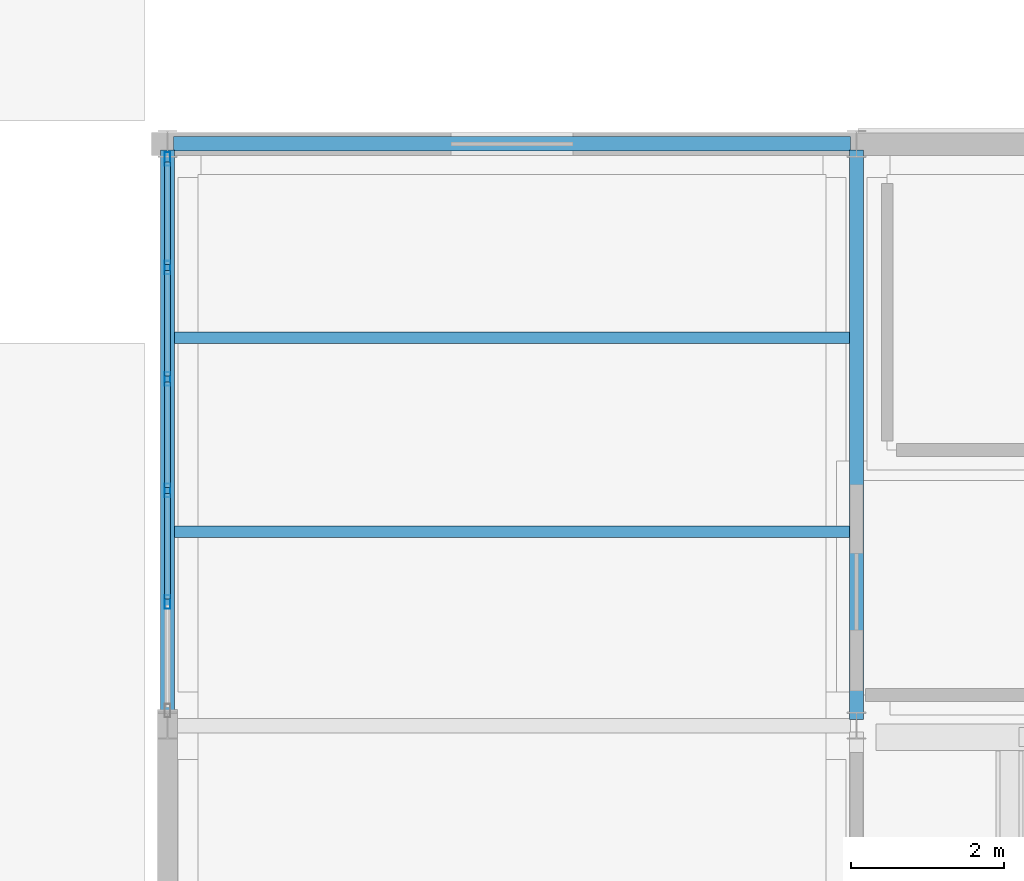
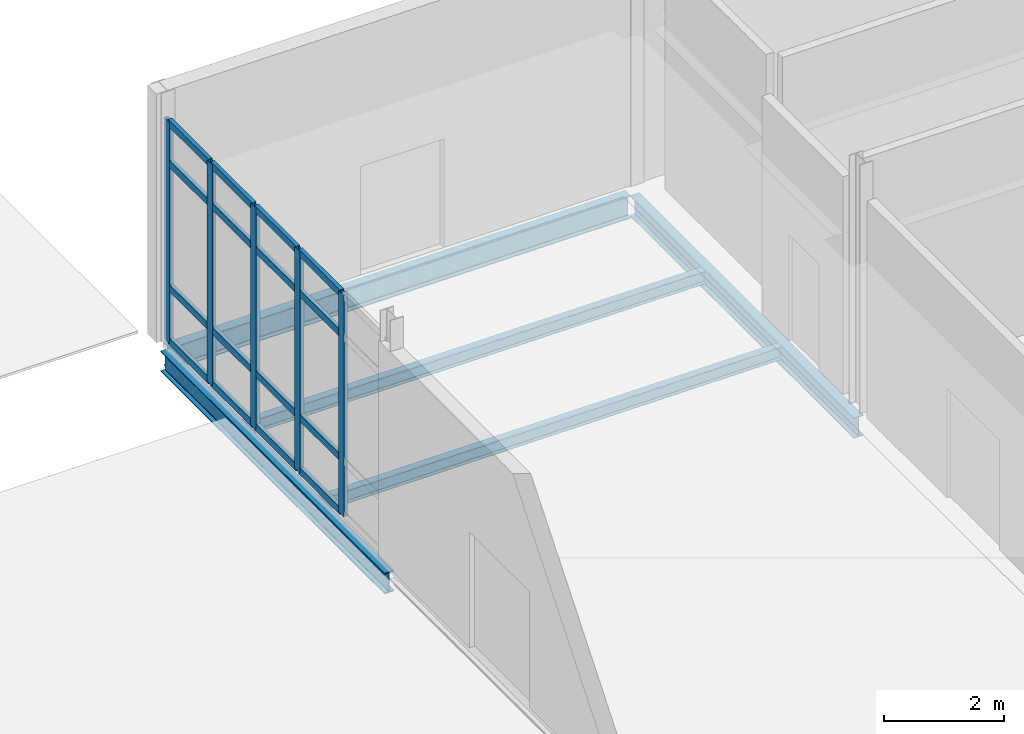
# One storey, part 105 of 161: 21 members, 5 beams, 1 element without a shape of its own.
"""IFC4 building model written with IfcOpenShell, lengths in metres."""

import ifcopenshell
import ifcopenshell.guid

model = None  # the IFC model being written
_history = None  # IfcOwnerHistory: only IFC2X3 demands one
_inside = {}  # id of a spatial element -> (the spatial element, [elements in it])
_under = {}  # id of a project, library or spatial element -> (it, [spatial elements below it])
_declared = {}  # id of a project -> (the project, [libraries it declares])
_typed = {}  # id of a type object -> (the type object, [elements of that type])
_made_of = {}  # id of a material, layer set ... -> (it, [elements and type objects made of it])


def new_model(schema):
    """Start an empty IFC model of exactly this schema.

    Asked for "IFC4X3", IfcOpenShell would pick the latest addendum, in which some entities
    have other attributes; the version numbers below select the first issue.
    IFC2X3 requires an IfcOwnerHistory on every rooted entity: one is made here for all.
    """
    global model, _history
    if schema == "IFC4X3":
        model = ifcopenshell.file(schema_version=(4, 3, 0, 0))
    else:
        model = ifcopenshell.file(schema=schema)
    _inside.clear()
    _under.clear()
    _declared.clear()
    _typed.clear()
    _made_of.clear()
    _history = None
    if model.schema == "IFC2X3":
        org = make("IfcOrganization", Name="unknown")
        user = make(
            "IfcPersonAndOrganization",
            ThePerson=make("IfcPerson", FamilyName="unknown"),
            TheOrganization=org,
        )
        app = make(
            "IfcApplication",
            ApplicationDeveloper=org,
            Version="unknown",
            ApplicationFullName="unknown",
            ApplicationIdentifier="unknown",
        )
        _history = make(
            "IfcOwnerHistory",
            OwningUser=user,
            OwningApplication=app,
            ChangeAction="ADDED",
            CreationDate=0,
        )
    return model


def make(cls, **values):
    """One entity of the class cls with the attributes given. An attribute that is None is left unset."""
    return model.create_entity(
        cls, **{name: value for name, value in values.items() if value is not None}
    )


def rooted(cls, **values):
    """An entity with a GlobalId (a new one), such as an element, a storey or a relation."""
    return make(cls, GlobalId=ifcopenshell.guid.new(), OwnerHistory=_history, **values)


def si_unit(unit_type, name, prefix=None):
    """IfcSIUnit, for example si_unit("LENGTHUNIT", "METRE", prefix="MILLI")."""
    return make("IfcSIUnit", UnitType=unit_type, Prefix=prefix, Name=name)


def assignment(units):
    """IfcUnitAssignment: the units of a project."""
    return None if units is None else make("IfcUnitAssignment", Units=units)


def point(xyz):
    """IfcCartesianPoint."""
    return None if xyz is None else make("IfcCartesianPoint", Coordinates=xyz)


def direction(xyz):
    """IfcDirection."""
    return None if xyz is None else make("IfcDirection", DirectionRatios=xyz)


def frame(location, z_axis=None, x_axis=None):
    """IfcAxis2Placement3D, a coordinate frame: its origin and axes. An axis left out is left unset."""
    return make(
        "IfcAxis2Placement3D",
        Location=point(location),
        Axis=direction(z_axis),
        RefDirection=direction(x_axis),
    )


def frame_2d(location, x_axis=None):
    """IfcAxis2Placement2D, a coordinate frame in the plane: its origin and x axis."""
    return make(
        "IfcAxis2Placement2D", Location=point(location), RefDirection=direction(x_axis)
    )


def origin():
    """The frame at (0, 0, 0) with its axes left unset."""
    return frame((0.0, 0.0, 0.0))


def origin_2d():
    """The frame at (0, 0) in the plane with its x axis left unset."""
    return frame_2d((0.0, 0.0))


def place(relative_to, where):
    """IfcLocalPlacement: puts the frame where relative to a parent placement (None: the world)."""
    return make(
        "IfcLocalPlacement", PlacementRelTo=relative_to, RelativePlacement=where
    )


def context(
    kind, dimensions, precision=None, world=None, true_north=None, identifier=None
):
    """IfcGeometricRepresentationContext, for example the 3D "Model" context."""
    return make(
        "IfcGeometricRepresentationContext",
        ContextIdentifier=identifier,
        ContextType=kind,
        CoordinateSpaceDimension=dimensions,
        Precision=precision,
        WorldCoordinateSystem=world,
        TrueNorth=true_north,
    )


def subcontext(parent, identifier, kind, view, scale=None):
    """IfcGeometricRepresentationSubContext, for example "Body" below "Model"."""
    return make(
        "IfcGeometricRepresentationSubContext",
        ContextIdentifier=identifier,
        ContextType=kind,
        ParentContext=parent,
        TargetScale=scale,
        TargetView=view,
    )


def project(units=None, contexts=None):
    """IfcProject with its units and contexts."""
    return rooted(
        "IfcProject",
        Name="project",
        RepresentationContexts=contexts,
        UnitsInContext=assignment(units),
    )


def spatial(cls, under=None, at=None, **own):
    """A site, building, storey or space (cls), placed at a placement, below another one or the project."""
    s = rooted(cls, ObjectPlacement=at, **own)
    if under is not None:
        _under.setdefault(under.id(), (under, []))[1].append(s)
    return s


def profile(cls, at=None, kind="AREA", **sizes):
    """A parametric profile (cls). Its sizes go by their IFC names, for example OverallWidth=200.0."""
    return make(cls, ProfileType=kind, Position=at, **sizes)


def hollow_rectangle(**sizes):
    """IfcRectangleHollowProfileDef."""
    return profile("IfcRectangleHollowProfileDef", **sizes)


def i_section(**sizes):
    """IfcIShapeProfileDef."""
    return profile("IfcIShapeProfileDef", **sizes)


def extrude(swept, where, along, depth):
    """IfcExtrudedAreaSolid: the profile swept, set in the frame where, extruded along a direction by depth."""
    return make(
        "IfcExtrudedAreaSolid",
        SweptArea=swept,
        Position=where,
        ExtrudedDirection=direction(along),
        Depth=depth,
    )


def shape(context_of_items, identifier, shape_type, items):
    """IfcShapeRepresentation: the items that make up one representation, for example the "Body"."""
    return make(
        "IfcShapeRepresentation",
        ContextOfItems=context_of_items,
        RepresentationIdentifier=identifier,
        RepresentationType=shape_type,
        Items=items,
    )


def material(Name=None, Category=None):
    """IfcMaterial."""
    return make("IfcMaterial", Name=Name, Category=Category)


def material_profile(
    of_material, cross_section, Name=None, Category=None, Priority=None
):
    """IfcMaterialProfile: a cross section and its material."""
    return make(
        "IfcMaterialProfile",
        Name=Name,
        Material=of_material,
        Profile=cross_section,
        Priority=Priority,
        Category=Category,
    )


def profile_set(profiles, Name=None, composite=None):
    """IfcMaterialProfileSet."""
    return make(
        "IfcMaterialProfileSet",
        Name=Name,
        MaterialProfiles=profiles,
        CompositeProfile=composite,
    )


def made_of(thing, what):
    """Note that an element or type object is made of a material, layer set ...; save() writes the relation."""
    if what is not None:
        _made_of.setdefault(what.id(), (what, []))[1].append(thing)
    return thing


def type_object(cls, material=None, **own):
    """A type object (cls), such as IfcWallType, which elements share."""
    return made_of(rooted(cls, **own), material)


def element(
    cls,
    number,
    at=None,
    inside=None,
    cuts=None,
    type_object=None,
    material=None,
    context=None,
    identifier="Body",
    shape_type=None,
    held_by="IfcProductDefinitionShape",
    body=None,
    shapes=None,
    **own,
):
    """One element of the class cls, such as IfcWall. Its Tag is "e" and its number.

    at: its placement. inside: the storey or other place that contains it. cuts: it is an
    opening in that element (IfcRelVoidsElement). A single representation is given by context,
    identifier, shape_type and body (its items); several are given by shapes. held_by: the class
    of the entity that holds the representations. save() writes the other relations.
    """
    e = rooted(cls, Tag="e%d" % number, ObjectPlacement=at, **own)
    if body is not None:
        shapes = [shape(context, identifier, shape_type, body)]
    if shapes is not None:
        e.Representation = make(held_by, Representations=shapes)
    if inside is not None:
        _inside.setdefault(inside.id(), (inside, []))[1].append(e)
    if cuts is not None:
        rooted(
            "IfcRelVoidsElement", RelatingBuildingElement=cuts, RelatedOpeningElement=e
        )
    if type_object is not None:
        _typed.setdefault(type_object.id(), (type_object, []))[1].append(e)
    return made_of(e, material)


def aggregate(whole, parts):
    """IfcRelAggregates: a whole, such as a stair, and the parts it consists of."""
    return rooted("IfcRelAggregates", RelatingObject=whole, RelatedObjects=parts)


def save(model, path):
    """Write the relations noted so far, then the file.

    IfcRelAggregates (storeys below a building ...), IfcRelContainedInSpatialStructure (elements
    in a storey), IfcRelDefinesByType, IfcRelAssociatesMaterial and IfcRelDeclares: one each for
    every whole, place, type object, material and project.
    """
    for whole, parts in _under.values():
        aggregate(whole, parts)
    for where, things in _inside.values():
        rooted(
            "IfcRelContainedInSpatialStructure",
            RelatedElements=things,
            RelatingStructure=where,
        )
    for kind, things in _typed.values():
        rooted("IfcRelDefinesByType", RelatedObjects=things, RelatingType=kind)
    for what, things in _made_of.values():
        rooted("IfcRelAssociatesMaterial", RelatedObjects=things, RelatingMaterial=what)
    for by, libraries in _declared.values():
        rooted("IfcRelDeclares", RelatingContext=by, RelatedDefinitions=libraries)
    model.write(path)


model = new_model("IFC4")

# Units and contexts
model_context = context("Model", 3, precision=1e-05, world=origin(), true_north=direction((0.0, 1.0)))
body_context = subcontext(model_context, "Body", "Model", "MODEL_VIEW")
ifc_project = project(units=[si_unit("LENGTHUNIT", "METRE"), si_unit("AREAUNIT", "SQUARE_METRE"), si_unit("VOLUMEUNIT", "CUBIC_METRE"), si_unit("PLANEANGLEUNIT", "RADIAN"), si_unit("MASSUNIT", "GRAM", prefix="KILO")], contexts=[model_context])

# Site, building, storey
site_placement = place(None, origin())
site = spatial("IfcSite", under=ifc_project, at=site_placement, CompositionType="ELEMENT")
building_placement = place(site_placement, origin())
building = spatial("IfcBuilding", under=site, at=building_placement, Name="Caisbarro Railhouse Central Library", CompositionType="ELEMENT")
storey_placement = place(building_placement, origin())
storey = spatial("IfcBuildingStorey", under=building, at=storey_placement, Name="L00", CompositionType="ELEMENT", Elevation=0.0)

# Beams
ifc_material_1 = material(Name="Steel ASTM A572 Grade 50", Category="steel")
ifc_material_profile_1 = material_profile(ifc_material_1, i_section(OverallWidth=0.180908203125, OverallDepth=0.4169921875, WebThickness=0.010986328125, FlangeThickness=0.018310546875, FilletRadius=0.01611328125, at=origin_2d()), Name="W410X85.0")
ifc_profile_set_1 = profile_set([ifc_material_profile_1], Name="Steel ASTM A572 Grade 50")
beam_type_1 = type_object("IfcBeamType", Name="BM-G09", PredefinedType="BEAM", material=ifc_profile_set_1)
for number, where, z_axis, x_axis, name in (
    (1, (144.0, 30.47998046875, -0.45849609375), (0.0, 1.0, 0.0), (-1.0, 0.0, 0.0), "G09 beam L00 #469"),
    (2, (153.0, 30.47998046875, -0.45849609375), (0.0, 1.0, 0.0), (-1.0, 0.0, 0.0), "G09 beam L00 #474"),
):
    element("IfcBeam", number, at=place(storey_placement, frame(where, z_axis=z_axis, x_axis=x_axis)), inside=storey, type_object=beam_type_1, Name=name, PredefinedType="BEAM", context=body_context, shape_type="SweptSolid", body=[
        extrude(i_section(OverallWidth=0.180908203125, OverallDepth=0.4169921875, WebThickness=0.010986328125, FlangeThickness=0.018310546875, FilletRadius=0.01611328125, at=origin_2d()), origin(), (0.0, 0.0, 1.0), 7.43994140625),
    ])
ifc_material_profile_2 = material_profile(ifc_material_1, i_section(OverallWidth=0.14599609375, OverallDepth=0.258056640625, WebThickness=0.006103515625, FlangeThickness=0.009033203125, FilletRadius=0.010009765625, at=origin_2d()), Name="W250X32.7")
ifc_profile_set_2 = profile_set([ifc_material_profile_2], Name="Steel ASTM A572 Grade 50")
beam_type_2 = type_object("IfcBeamType", Name="BM-J05", PredefinedType="JOIST", material=ifc_profile_set_2)
for number, where, z_axis, x_axis, name in (
    (3, (144.090576171875, 32.933349609375, -0.37890625), (1.0, 0.0, 0.0), (0.0, 1.0, 0.0), "J05 beam L00 #488"),
    (4, (144.090576171875, 35.466796875, -0.37890625), (1.0, 0.0, 0.0), (0.0, 1.0, 0.0), "J05 beam L00 #489"),
):
    element("IfcBeam", number, at=place(storey_placement, frame(where, z_axis=z_axis, x_axis=x_axis)), inside=storey, type_object=beam_type_2, Name=name, PredefinedType="JOIST", context=body_context, shape_type="SweptSolid", body=[
        extrude(i_section(OverallWidth=0.14599609375, OverallDepth=0.258056640625, WebThickness=0.006103515625, FlangeThickness=0.009033203125, FilletRadius=0.010009765625, at=origin_2d()), origin(), (0.0, 0.0, 1.0), 8.81884765625),
    ])
ifc_material_profile_3 = material_profile(ifc_material_1, i_section(OverallWidth=0.18994140625, OverallDepth=0.45703125, WebThickness=0.009033203125, FlangeThickness=0.014404296875, FilletRadius=0.01806640625, at=origin_2d()), Name="W460X74.0")
ifc_profile_set_3 = profile_set([ifc_material_profile_3], Name="Steel ASTM A572 Grade 50")
beam_type_3 = type_object("IfcBeamType", Name="BM-SP01", PredefinedType="SPANDREL", material=ifc_profile_set_3)
beam_placement = place(storey_placement, frame((144.080078125, 38.0, -0.478515625), z_axis=(1.0, 0.0, 0.0), x_axis=(0.0, 1.0, 0.0)))
element("IfcBeam", 5, at=beam_placement, inside=storey, type_object=beam_type_3, Name="SP01 beam L00 #461", PredefinedType="SPANDREL", context=body_context, shape_type="SweptSolid", body=[
    extrude(i_section(OverallWidth=0.18994140625, OverallDepth=0.45703125, WebThickness=0.009033203125, FlangeThickness=0.014404296875, FilletRadius=0.01806640625, at=origin_2d()), origin(), (0.0, 0.0, 1.0), 8.83984375),
])

# Curtain wall, members
ifc_material_2 = material(Name="Anodised architectural aluminium", Category="aluminium")
curtain_wall_type = type_object("IfcCurtainWallType", Name="CW-CW01", PredefinedType="NOTDEFINED", material=ifc_material_2)
curtain_wall_placement = place(storey_placement, origin())
curtain_wall = element("IfcCurtainWall", 6, at=curtain_wall_placement, inside=storey, type_object=curtain_wall_type, Name="CW01 curtain wall L00 #87", PredefinedType="NOTDEFINED")
ifc_material_profile_4 = material_profile(ifc_material_2, hollow_rectangle(XDim=0.074951171875, YDim=0.179931640625, WallThickness=0.00439453125, at=origin_2d()), Name="ALU-MUL-75X180")
ifc_profile_set_4 = profile_set([ifc_material_profile_4], Name="Anodised architectural aluminium")
member_type_1 = type_object("IfcMemberType", Name="CWM-M01", PredefinedType="MULLION", material=ifc_profile_set_4)
member_1_placement = place(storey_placement, frame((144.0, 32.01611328125, 0.0), z_axis=(0.0, 0.0, 1.0), x_axis=(-1.0, 0.0, 0.0)))
member_1 = element("IfcMember", 7, at=member_1_placement, type_object=member_type_1, Name="CW01 mullion 2", PredefinedType="MULLION", context=body_context, shape_type="SweptSolid", body=[
    extrude(hollow_rectangle(XDim=0.074951171875, YDim=0.179931640625, WallThickness=0.00439453125, at=origin_2d()), origin(), (0.0, 0.0, 1.0), 4.489990234375),
])
member_2_placement = place(storey_placement, frame((144.0, 33.471923828125, 0.0), z_axis=(0.0, 0.0, 1.0), x_axis=(-1.0, 0.0, 0.0)))
member_2 = element("IfcMember", 8, at=member_2_placement, type_object=member_type_1, Name="CW01 mullion 3", PredefinedType="MULLION", context=body_context, shape_type="SweptSolid", body=[
    extrude(hollow_rectangle(XDim=0.074951171875, YDim=0.179931640625, WallThickness=0.00439453125, at=origin_2d()), origin(), (0.0, 0.0, 1.0), 4.489990234375),
])
member_3_placement = place(storey_placement, frame((144.0, 34.927978515625, 0.0), z_axis=(0.0, 0.0, 1.0), x_axis=(-1.0, 0.0, 0.0)))
member_3 = element("IfcMember", 9, at=member_3_placement, type_object=member_type_1, Name="CW01 mullion 4", PredefinedType="MULLION", context=body_context, shape_type="SweptSolid", body=[
    extrude(hollow_rectangle(XDim=0.074951171875, YDim=0.179931640625, WallThickness=0.00439453125, at=origin_2d()), origin(), (0.0, 0.0, 1.0), 4.489990234375),
])
member_4_placement = place(storey_placement, frame((144.0, 36.384033203125, 0.0), z_axis=(0.0, 0.0, 1.0), x_axis=(-1.0, 0.0, 0.0)))
member_4 = element("IfcMember", 10, at=member_4_placement, type_object=member_type_1, Name="CW01 mullion 5", PredefinedType="MULLION", context=body_context, shape_type="SweptSolid", body=[
    extrude(hollow_rectangle(XDim=0.074951171875, YDim=0.179931640625, WallThickness=0.00439453125, at=origin_2d()), origin(), (0.0, 0.0, 1.0), 4.489990234375),
])
member_5_placement = place(storey_placement, frame((144.0, 37.802490234375, 0.0), z_axis=(0.0, 0.0, 1.0), x_axis=(-1.0, 0.0, 0.0)))
member_5 = element("IfcMember", 11, at=member_5_placement, type_object=member_type_1, Name="CW01 mullion 6", PredefinedType="MULLION", context=body_context, shape_type="SweptSolid", body=[
    extrude(hollow_rectangle(XDim=0.074951171875, YDim=0.179931640625, WallThickness=0.00439453125, at=origin_2d()), origin(), (0.0, 0.0, 1.0), 4.489990234375),
])
ifc_material_profile_5 = material_profile(ifc_material_2, hollow_rectangle(XDim=0.074951171875, YDim=0.139892578125, WallThickness=0.00390625, at=origin_2d()), Name="ALU-TRN-75X140")
ifc_profile_set_5 = profile_set([ifc_material_profile_5], Name="Anodised architectural aluminium")
member_type_2 = type_object("IfcMemberType", Name="CWT-T01", PredefinedType="USERDEFINED", material=ifc_profile_set_5)
member_6_placement = place(storey_placement, frame((144.0, 32.053466796875, 0.03759765625), z_axis=(0.0, 1.0, 0.0), x_axis=(-1.0, 0.0, 0.0)))
member_6 = element("IfcMember", 12, at=member_6_placement, type_object=member_type_2, Name="CW01 transom 2.1", ObjectType="TRANSOM", PredefinedType="USERDEFINED", context=body_context, shape_type="SweptSolid", body=[
    extrude(hollow_rectangle(XDim=0.074951171875, YDim=0.139892578125, WallThickness=0.00390625, at=origin_2d()), origin(), (0.0, 0.0, 1.0), 1.381103515625),
])
member_7_placement = place(storey_placement, frame((144.0, 32.053466796875, 1.1201171875), z_axis=(0.0, 1.0, 0.0), x_axis=(-1.0, 0.0, 0.0)))
member_7 = element("IfcMember", 13, at=member_7_placement, type_object=member_type_2, Name="CW01 transom 2.2", ObjectType="TRANSOM", PredefinedType="USERDEFINED", context=body_context, shape_type="SweptSolid", body=[
    extrude(hollow_rectangle(XDim=0.074951171875, YDim=0.139892578125, WallThickness=0.00390625, at=origin_2d()), origin(), (0.0, 0.0, 1.0), 1.381103515625),
])
member_8_placement = place(storey_placement, frame((144.0, 32.053466796875, 3.639892578125), z_axis=(0.0, 1.0, 0.0), x_axis=(-1.0, 0.0, 0.0)))
member_8 = element("IfcMember", 14, at=member_8_placement, type_object=member_type_2, Name="CW01 transom 2.3", ObjectType="TRANSOM", PredefinedType="USERDEFINED", context=body_context, shape_type="SweptSolid", body=[
    extrude(hollow_rectangle(XDim=0.074951171875, YDim=0.139892578125, WallThickness=0.00390625, at=origin_2d()), origin(), (0.0, 0.0, 1.0), 1.381103515625),
])
member_9_placement = place(storey_placement, frame((144.0, 32.053466796875, 4.452392578125), z_axis=(0.0, 1.0, 0.0), x_axis=(-1.0, 0.0, 0.0)))
member_9 = element("IfcMember", 15, at=member_9_placement, type_object=member_type_2, Name="CW01 transom 2.4", ObjectType="TRANSOM", PredefinedType="USERDEFINED", context=body_context, shape_type="SweptSolid", body=[
    extrude(hollow_rectangle(XDim=0.074951171875, YDim=0.139892578125, WallThickness=0.00390625, at=origin_2d()), origin(), (0.0, 0.0, 1.0), 1.381103515625),
])
member_10_placement = place(storey_placement, frame((144.0, 33.509521484375, 0.03759765625), z_axis=(0.0, 1.0, 0.0), x_axis=(-1.0, 0.0, 0.0)))
member_10 = element("IfcMember", 16, at=member_10_placement, type_object=member_type_2, Name="CW01 transom 3.1", ObjectType="TRANSOM", PredefinedType="USERDEFINED", context=body_context, shape_type="SweptSolid", body=[
    extrude(hollow_rectangle(XDim=0.074951171875, YDim=0.139892578125, WallThickness=0.00390625, at=origin_2d()), origin(), (0.0, 0.0, 1.0), 1.380859375),
])
member_11_placement = place(storey_placement, frame((144.0, 33.509521484375, 1.1201171875), z_axis=(0.0, 1.0, 0.0), x_axis=(-1.0, 0.0, 0.0)))
member_11 = element("IfcMember", 17, at=member_11_placement, type_object=member_type_2, Name="CW01 transom 3.2", ObjectType="TRANSOM", PredefinedType="USERDEFINED", context=body_context, shape_type="SweptSolid", body=[
    extrude(hollow_rectangle(XDim=0.074951171875, YDim=0.139892578125, WallThickness=0.00390625, at=origin_2d()), origin(), (0.0, 0.0, 1.0), 1.380859375),
])
member_12_placement = place(storey_placement, frame((144.0, 33.509521484375, 3.639892578125), z_axis=(0.0, 1.0, 0.0), x_axis=(-1.0, 0.0, 0.0)))
member_12 = element("IfcMember", 18, at=member_12_placement, type_object=member_type_2, Name="CW01 transom 3.3", ObjectType="TRANSOM", PredefinedType="USERDEFINED", context=body_context, shape_type="SweptSolid", body=[
    extrude(hollow_rectangle(XDim=0.074951171875, YDim=0.139892578125, WallThickness=0.00390625, at=origin_2d()), origin(), (0.0, 0.0, 1.0), 1.380859375),
])
member_13_placement = place(storey_placement, frame((144.0, 33.509521484375, 4.452392578125), z_axis=(0.0, 1.0, 0.0), x_axis=(-1.0, 0.0, 0.0)))
member_13 = element("IfcMember", 19, at=member_13_placement, type_object=member_type_2, Name="CW01 transom 3.4", ObjectType="TRANSOM", PredefinedType="USERDEFINED", context=body_context, shape_type="SweptSolid", body=[
    extrude(hollow_rectangle(XDim=0.074951171875, YDim=0.139892578125, WallThickness=0.00390625, at=origin_2d()), origin(), (0.0, 0.0, 1.0), 1.380859375),
])
member_14_placement = place(storey_placement, frame((144.0, 34.965576171875, 0.03759765625), z_axis=(0.0, 1.0, 0.0), x_axis=(-1.0, 0.0, 0.0)))
member_14 = element("IfcMember", 20, at=member_14_placement, type_object=member_type_2, Name="CW01 transom 4.1", ObjectType="TRANSOM", PredefinedType="USERDEFINED", context=body_context, shape_type="SweptSolid", body=[
    extrude(hollow_rectangle(XDim=0.074951171875, YDim=0.139892578125, WallThickness=0.00390625, at=origin_2d()), origin(), (0.0, 0.0, 1.0), 1.380859375),
])
member_15_placement = place(storey_placement, frame((144.0, 34.965576171875, 1.1201171875), z_axis=(0.0, 1.0, 0.0), x_axis=(-1.0, 0.0, 0.0)))
member_15 = element("IfcMember", 21, at=member_15_placement, type_object=member_type_2, Name="CW01 transom 4.2", ObjectType="TRANSOM", PredefinedType="USERDEFINED", context=body_context, shape_type="SweptSolid", body=[
    extrude(hollow_rectangle(XDim=0.074951171875, YDim=0.139892578125, WallThickness=0.00390625, at=origin_2d()), origin(), (0.0, 0.0, 1.0), 1.380859375),
])
member_16_placement = place(storey_placement, frame((144.0, 34.965576171875, 3.639892578125), z_axis=(0.0, 1.0, 0.0), x_axis=(-1.0, 0.0, 0.0)))
member_16 = element("IfcMember", 22, at=member_16_placement, type_object=member_type_2, Name="CW01 transom 4.3", ObjectType="TRANSOM", PredefinedType="USERDEFINED", context=body_context, shape_type="SweptSolid", body=[
    extrude(hollow_rectangle(XDim=0.074951171875, YDim=0.139892578125, WallThickness=0.00390625, at=origin_2d()), origin(), (0.0, 0.0, 1.0), 1.380859375),
])
member_17_placement = place(storey_placement, frame((144.0, 34.965576171875, 4.452392578125), z_axis=(0.0, 1.0, 0.0), x_axis=(-1.0, 0.0, 0.0)))
member_17 = element("IfcMember", 23, at=member_17_placement, type_object=member_type_2, Name="CW01 transom 4.4", ObjectType="TRANSOM", PredefinedType="USERDEFINED", context=body_context, shape_type="SweptSolid", body=[
    extrude(hollow_rectangle(XDim=0.074951171875, YDim=0.139892578125, WallThickness=0.00390625, at=origin_2d()), origin(), (0.0, 0.0, 1.0), 1.380859375),
])
member_18_placement = place(storey_placement, frame((144.0, 36.42138671875, 0.03759765625), z_axis=(0.0, 1.0, 0.0), x_axis=(-1.0, 0.0, 0.0)))
member_18 = element("IfcMember", 24, at=member_18_placement, type_object=member_type_2, Name="CW01 transom 5.1", ObjectType="TRANSOM", PredefinedType="USERDEFINED", context=body_context, shape_type="SweptSolid", body=[
    extrude(hollow_rectangle(XDim=0.074951171875, YDim=0.139892578125, WallThickness=0.00390625, at=origin_2d()), origin(), (0.0, 0.0, 1.0), 1.343505859375),
])
member_19_placement = place(storey_placement, frame((144.0, 36.42138671875, 1.1201171875), z_axis=(0.0, 1.0, 0.0), x_axis=(-1.0, 0.0, 0.0)))
member_19 = element("IfcMember", 25, at=member_19_placement, type_object=member_type_2, Name="CW01 transom 5.2", ObjectType="TRANSOM", PredefinedType="USERDEFINED", context=body_context, shape_type="SweptSolid", body=[
    extrude(hollow_rectangle(XDim=0.074951171875, YDim=0.139892578125, WallThickness=0.00390625, at=origin_2d()), origin(), (0.0, 0.0, 1.0), 1.343505859375),
])
member_20_placement = place(storey_placement, frame((144.0, 36.42138671875, 3.639892578125), z_axis=(0.0, 1.0, 0.0), x_axis=(-1.0, 0.0, 0.0)))
member_20 = element("IfcMember", 26, at=member_20_placement, type_object=member_type_2, Name="CW01 transom 5.3", ObjectType="TRANSOM", PredefinedType="USERDEFINED", context=body_context, shape_type="SweptSolid", body=[
    extrude(hollow_rectangle(XDim=0.074951171875, YDim=0.139892578125, WallThickness=0.00390625, at=origin_2d()), origin(), (0.0, 0.0, 1.0), 1.343505859375),
])
member_21_placement = place(storey_placement, frame((144.0, 36.42138671875, 4.452392578125), z_axis=(0.0, 1.0, 0.0), x_axis=(-1.0, 0.0, 0.0)))
member_21 = element("IfcMember", 27, at=member_21_placement, type_object=member_type_2, Name="CW01 transom 5.4", ObjectType="TRANSOM", PredefinedType="USERDEFINED", context=body_context, shape_type="SweptSolid", body=[
    extrude(hollow_rectangle(XDim=0.074951171875, YDim=0.139892578125, WallThickness=0.00390625, at=origin_2d()), origin(), (0.0, 0.0, 1.0), 1.343505859375),
])
aggregate(curtain_wall, [member_1, member_2, member_3, member_4, member_5, member_6, member_7, member_8, member_9, member_10, member_11, member_12, member_13, member_14, member_15, member_16, member_17, member_18, member_19, member_20, member_21])

save(model, "model.ifc")
